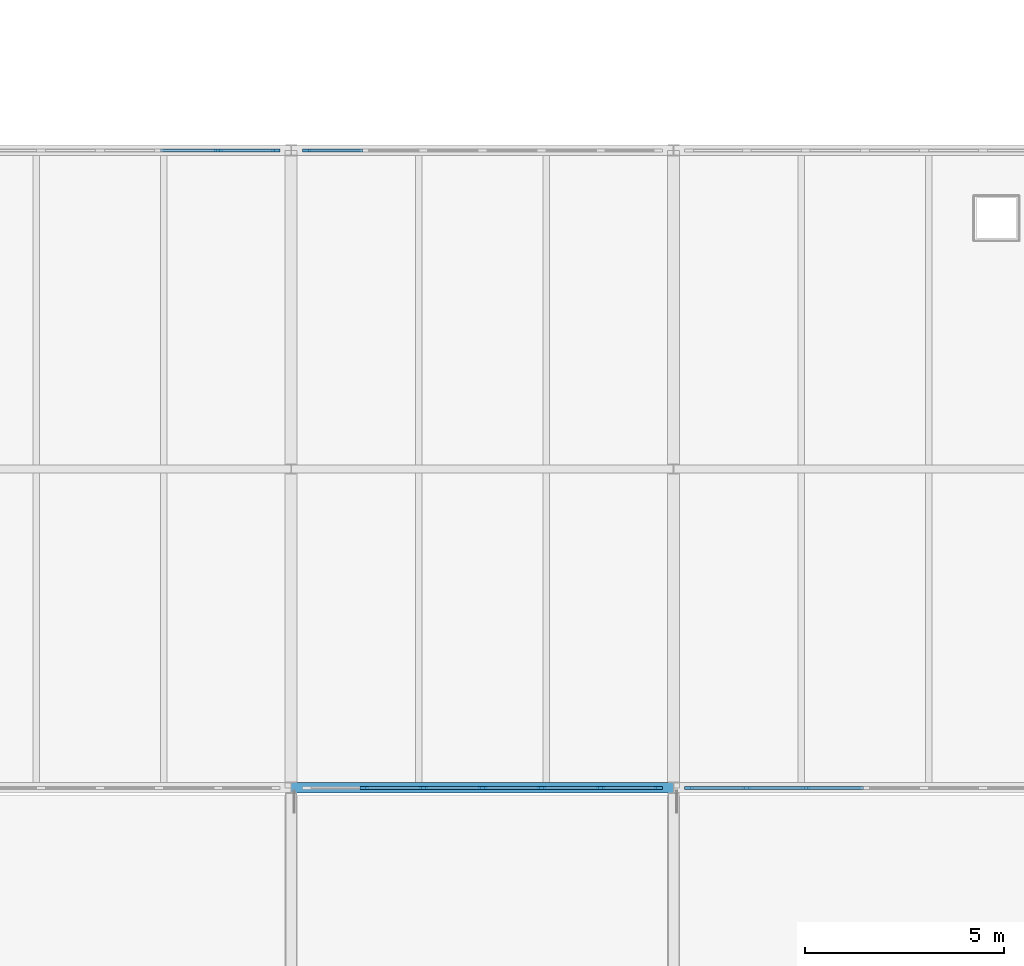
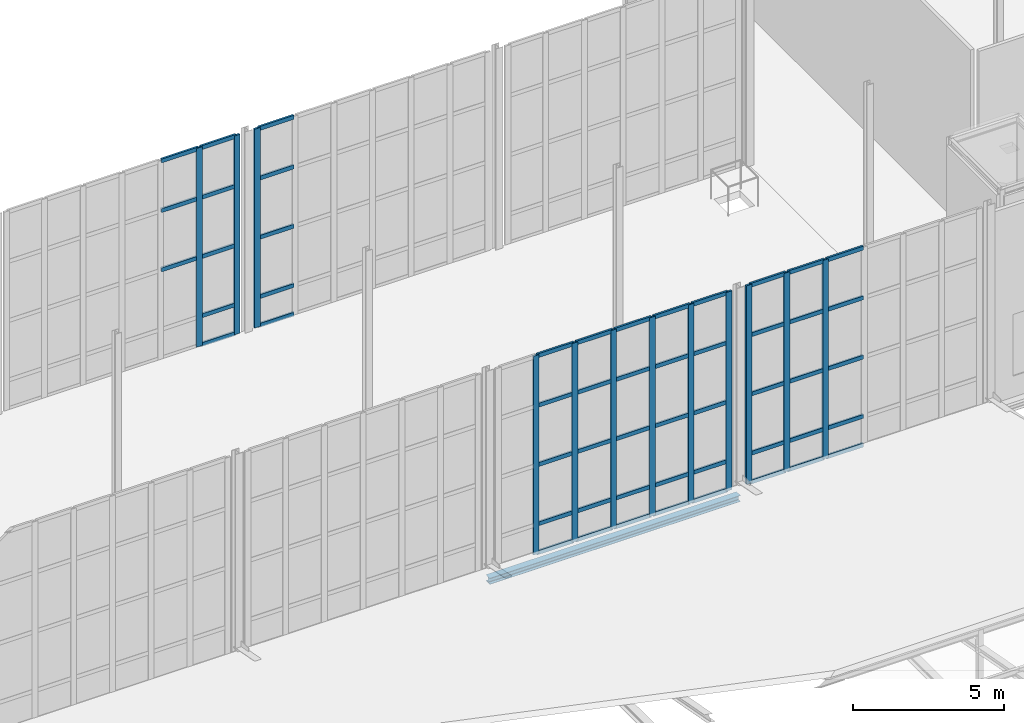
# One storey, part 39 of 73: 65 members, 1 beam, 4 elements without a shape of their own.
"""IFC4 building model written with IfcOpenShell, lengths in metres."""

from ifc_helpers import new_model, si_unit, direction, frame, origin, origin_2d, place, context, subcontext, project, spatial, rectangle, i_section, extrude, material, layer, layer_set, material_profile, profile_set, type_object, element, aggregate, save


model = new_model("IFC4")

# Units and contexts
model_context = context("Model", 3, precision=1e-05, world=origin(), true_north=direction((0.0, 1.0)))
body_context = subcontext(model_context, "Body", "Model", "MODEL_VIEW")
ifc_project = project(units=[si_unit("LENGTHUNIT", "METRE"), si_unit("AREAUNIT", "SQUARE_METRE"), si_unit("VOLUMEUNIT", "CUBIC_METRE"), si_unit("PLANEANGLEUNIT", "RADIAN"), si_unit("MASSUNIT", "GRAM", prefix="KILO")], contexts=[model_context])

# Site, building, storey
site_placement = place(None, origin())
site = spatial("IfcSite", under=ifc_project, at=site_placement, CompositionType="ELEMENT")
building_placement = place(site_placement, origin())
building = spatial("IfcBuilding", under=site, at=building_placement, Name="Alderhovde Museum", CompositionType="ELEMENT")
storey_placement = place(building_placement, frame((0.0, 0.0, 17.39990234375)))
storey = spatial("IfcBuildingStorey", under=building, at=storey_placement, Name="L04", CompositionType="ELEMENT", Elevation=17.39990234375)

# Curtain wall, members
ifc_material_1 = material(Name="Triple-Glazed Bronze-Anodised Curtain Wall", Category="glass")
ifc_layer = layer(ifc_material_1, 0.219970703125)
ifc_layer_set = layer_set([ifc_layer], Name="Triple-Glazed Bronze-Anodised Curtain Wall")
curtain_wall_type = type_object("IfcCurtainWallType", Name="CW-UNIT-890x805", PredefinedType="USERDEFINED", material=ifc_layer_set)
curtain_wall_1_placement = place(storey_placement, origin())
curtain_wall_1 = element("IfcCurtainWall", 1, at=curtain_wall_1_placement, inside=storey, type_object=curtain_wall_type, Name="L04 Unitised Curtain Wall 83", ObjectType="UNITISED CURTAIN WALL", PredefinedType="USERDEFINED")
ifc_material_2 = material(Name="Bronze-Anodised Aluminium EN AW-6063-T6", Category="aluminium")
ifc_material_profile_1 = material_profile(ifc_material_2, rectangle(XDim=0.074951171875, YDim=0.219970703125, at=origin_2d()), Name="MULLION 75x220")
ifc_profile_set_1 = profile_set([ifc_material_profile_1], Name="Bronze-Anodised Aluminium EN AW-6063-T6")
member_type_1 = type_object("IfcMemberType", Name="CWM-75x220", PredefinedType="MULLION", material=ifc_profile_set_1)
member_1_placement = place(storey_placement, frame((94.166748046875, 88.0, 0.0), z_axis=(0.0, 0.0, 1.0), x_axis=(0.0, 1.0, 0.0)))
member_1 = element("IfcMember", 2, at=member_1_placement, type_object=member_type_1, Name="CW21 mullion 6", PredefinedType="MULLION", context=body_context, shape_type="SweptSolid", body=[
    extrude(rectangle(XDim=0.074951171875, YDim=0.219970703125, at=origin_2d()), origin(), (0.0, 0.0, 1.0), 8.050048828125),
])
member_2_placement = place(storey_placement, frame((95.612548828125, 88.0, 0.0), z_axis=(0.0, 0.0, 1.0), x_axis=(0.0, 1.0, 0.0)))
member_2 = element("IfcMember", 3, at=member_2_placement, type_object=member_type_1, Name="CW21 mullion 7", PredefinedType="MULLION", context=body_context, shape_type="SweptSolid", body=[
    extrude(rectangle(XDim=0.074951171875, YDim=0.219970703125, at=origin_2d()), origin(), (0.0, 0.0, 1.0), 8.050048828125),
])

# Curtain wall, member
curtain_wall_2_placement = place(storey_placement, origin())
curtain_wall_2 = element("IfcCurtainWall", 4, at=curtain_wall_2_placement, inside=storey, type_object=curtain_wall_type, Name="L04 Unitised Curtain Wall 85", ObjectType="UNITISED CURTAIN WALL", PredefinedType="USERDEFINED")
member_3_placement = place(storey_placement, frame((96.387451171875, 88.0, 0.0), z_axis=(0.0, 0.0, 1.0), x_axis=(0.0, 1.0, 0.0)))
member_3 = element("IfcMember", 5, at=member_3_placement, type_object=member_type_1, Name="CW21 mullion 1", PredefinedType="MULLION", context=body_context, shape_type="SweptSolid", body=[
    extrude(rectangle(XDim=0.074951171875, YDim=0.219970703125, at=origin_2d()), origin(), (0.0, 0.0, 1.0), 8.050048828125),
])

# Curtain wall, members
curtain_wall_3_placement = place(storey_placement, origin())
curtain_wall_3 = element("IfcCurtainWall", 6, at=curtain_wall_3_placement, inside=storey, type_object=curtain_wall_type, Name="L04 Unitised Curtain Wall 86", ObjectType="UNITISED CURTAIN WALL", PredefinedType="USERDEFINED")
member_4_placement = place(storey_placement, frame((97.833251953125, 72.0, 0.0), z_axis=(0.0, 0.0, 1.0), x_axis=(0.0, 1.0, 0.0)))
member_4 = element("IfcMember", 7, at=member_4_placement, type_object=member_type_1, Name="CW21 mullion 2", PredefinedType="MULLION", context=body_context, shape_type="SweptSolid", body=[
    extrude(rectangle(XDim=0.074951171875, YDim=0.219970703125, at=origin_2d()), origin(), (0.0, 0.0, 1.0), 8.050048828125),
])
member_5_placement = place(storey_placement, frame((99.316650390625, 72.0, 0.0), z_axis=(0.0, 0.0, 1.0), x_axis=(0.0, 1.0, 0.0)))
member_5 = element("IfcMember", 8, at=member_5_placement, type_object=member_type_1, Name="CW21 mullion 3", PredefinedType="MULLION", context=body_context, shape_type="SweptSolid", body=[
    extrude(rectangle(XDim=0.074951171875, YDim=0.219970703125, at=origin_2d()), origin(), (0.0, 0.0, 1.0), 8.050048828125),
])
member_6_placement = place(storey_placement, frame((100.800048828125, 72.0, 0.0), z_axis=(0.0, 0.0, 1.0), x_axis=(0.0, 1.0, 0.0)))
member_6 = element("IfcMember", 9, at=member_6_placement, type_object=member_type_1, Name="CW21 mullion 4", PredefinedType="MULLION", context=body_context, shape_type="SweptSolid", body=[
    extrude(rectangle(XDim=0.074951171875, YDim=0.219970703125, at=origin_2d()), origin(), (0.0, 0.0, 1.0), 8.050048828125),
])
member_7_placement = place(storey_placement, frame((102.283447265625, 72.0, 0.0), z_axis=(0.0, 0.0, 1.0), x_axis=(0.0, 1.0, 0.0)))
member_7 = element("IfcMember", 10, at=member_7_placement, type_object=member_type_1, Name="CW21 mullion 5", PredefinedType="MULLION", context=body_context, shape_type="SweptSolid", body=[
    extrude(rectangle(XDim=0.074951171875, YDim=0.219970703125, at=origin_2d()), origin(), (0.0, 0.0, 1.0), 8.050048828125),
])
member_8_placement = place(storey_placement, frame((103.7666015625, 72.0, 0.0), z_axis=(0.0, 0.0, 1.0), x_axis=(0.0, 1.0, 0.0)))
member_8 = element("IfcMember", 11, at=member_8_placement, type_object=member_type_1, Name="CW21 mullion 6", PredefinedType="MULLION", context=body_context, shape_type="SweptSolid", body=[
    extrude(rectangle(XDim=0.074951171875, YDim=0.219970703125, at=origin_2d()), origin(), (0.0, 0.0, 1.0), 8.050048828125),
])
member_9_placement = place(storey_placement, frame((105.21240234375, 72.0, 0.0), z_axis=(0.0, 0.0, 1.0), x_axis=(0.0, 1.0, 0.0)))
member_9 = element("IfcMember", 12, at=member_9_placement, type_object=member_type_1, Name="CW21 mullion 7", PredefinedType="MULLION", context=body_context, shape_type="SweptSolid", body=[
    extrude(rectangle(XDim=0.074951171875, YDim=0.219970703125, at=origin_2d()), origin(), (0.0, 0.0, 1.0), 8.050048828125),
])

curtain_wall_4_placement = place(storey_placement, origin())
curtain_wall_4 = element("IfcCurtainWall", 13, at=curtain_wall_4_placement, inside=storey, type_object=curtain_wall_type, Name="L04 Unitised Curtain Wall 88", ObjectType="UNITISED CURTAIN WALL", PredefinedType="USERDEFINED")
member_10_placement = place(storey_placement, frame((105.987548828125, 72.0, 0.0), z_axis=(0.0, 0.0, 1.0), x_axis=(0.0, 1.0, 0.0)))
member_10 = element("IfcMember", 14, at=member_10_placement, type_object=member_type_1, Name="CW21 mullion 1", PredefinedType="MULLION", context=body_context, shape_type="SweptSolid", body=[
    extrude(rectangle(XDim=0.074951171875, YDim=0.219970703125, at=origin_2d()), origin(), (0.0, 0.0, 1.0), 8.050048828125),
])
member_11_placement = place(storey_placement, frame((107.433349609375, 72.0, 0.0), z_axis=(0.0, 0.0, 1.0), x_axis=(0.0, 1.0, 0.0)))
member_11 = element("IfcMember", 15, at=member_11_placement, type_object=member_type_1, Name="CW21 mullion 2", PredefinedType="MULLION", context=body_context, shape_type="SweptSolid", body=[
    extrude(rectangle(XDim=0.074951171875, YDim=0.219970703125, at=origin_2d()), origin(), (0.0, 0.0, 1.0), 8.050048828125),
])
member_12_placement = place(storey_placement, frame((108.916748046875, 72.0, 0.0), z_axis=(0.0, 0.0, 1.0), x_axis=(0.0, 1.0, 0.0)))
member_12 = element("IfcMember", 16, at=member_12_placement, type_object=member_type_1, Name="CW21 mullion 3", PredefinedType="MULLION", context=body_context, shape_type="SweptSolid", body=[
    extrude(rectangle(XDim=0.074951171875, YDim=0.219970703125, at=origin_2d()), origin(), (0.0, 0.0, 1.0), 8.050048828125),
])

# Member
ifc_material_3 = material(Name="Bronze-Anodised Aluminium EN AW-6063-T6", Category="aluminium")
ifc_material_profile_2 = material_profile(ifc_material_3, rectangle(XDim=0.074951171875, YDim=0.159912109375, at=origin_2d()), Name="TRANSOM 75x160")
ifc_profile_set_2 = profile_set([ifc_material_profile_2], Name="Bronze-Anodised Aluminium EN AW-6063-T6")
member_type_2 = type_object("IfcMemberType", Name="CWT-75x160", PredefinedType="USERDEFINED", material=ifc_profile_set_2)
member_13_placement = place(storey_placement, frame((92.720947265625, 88.0, 3.60009765625), z_axis=(1.0, 0.0, 0.0), x_axis=(0.0, 1.0, 0.0)))
member_13 = element("IfcMember", 17, at=member_13_placement, type_object=member_type_2, Name="CW21 transom 5.3", ObjectType="TRANSOM", PredefinedType="USERDEFINED", context=body_context, shape_type="SweptSolid", body=[
    extrude(rectangle(XDim=0.074951171875, YDim=0.159912109375, at=origin_2d()), origin(), (0.0, 0.0, 1.0), 1.408203125),
])

member_14_placement = place(storey_placement, frame((92.720947265625, 88.0, 6.0), z_axis=(1.0, 0.0, 0.0), x_axis=(0.0, 1.0, 0.0)))
member_14 = element("IfcMember", 18, at=member_14_placement, type_object=member_type_2, Name="CW21 transom 5.4", ObjectType="TRANSOM", PredefinedType="USERDEFINED", context=body_context, shape_type="SweptSolid", body=[
    extrude(rectangle(XDim=0.074951171875, YDim=0.159912109375, at=origin_2d()), origin(), (0.0, 0.0, 1.0), 1.408203125),
])

member_15_placement = place(storey_placement, frame((92.720947265625, 88.0, 8.0126953125), z_axis=(1.0, 0.0, 0.0), x_axis=(0.0, 1.0, 0.0)))
member_15 = element("IfcMember", 19, at=member_15_placement, type_object=member_type_2, Name="CW21 transom 5.5", ObjectType="TRANSOM", PredefinedType="USERDEFINED", context=body_context, shape_type="SweptSolid", body=[
    extrude(rectangle(XDim=0.074951171875, YDim=0.159912109375, at=origin_2d()), origin(), (0.0, 0.0, 1.0), 1.408203125),
])

member_16_placement = place(storey_placement, frame((94.2041015625, 88.0, 0.03759765625), z_axis=(1.0, 0.0, 0.0), x_axis=(0.0, 1.0, 0.0)))
member_16 = element("IfcMember", 20, at=member_16_placement, type_object=member_type_2, Name="CW21 transom 6.1", ObjectType="TRANSOM", PredefinedType="USERDEFINED", context=body_context, shape_type="SweptSolid", body=[
    extrude(rectangle(XDim=0.074951171875, YDim=0.159912109375, at=origin_2d()), origin(), (0.0, 0.0, 1.0), 1.370849609375),
])

member_17_placement = place(storey_placement, frame((94.2041015625, 88.0, 1.2001953125), z_axis=(1.0, 0.0, 0.0), x_axis=(0.0, 1.0, 0.0)))
member_17 = element("IfcMember", 21, at=member_17_placement, type_object=member_type_2, Name="CW21 transom 6.2", ObjectType="TRANSOM", PredefinedType="USERDEFINED", context=body_context, shape_type="SweptSolid", body=[
    extrude(rectangle(XDim=0.074951171875, YDim=0.159912109375, at=origin_2d()), origin(), (0.0, 0.0, 1.0), 1.370849609375),
])

member_18_placement = place(storey_placement, frame((94.2041015625, 88.0, 3.60009765625), z_axis=(1.0, 0.0, 0.0), x_axis=(0.0, 1.0, 0.0)))
member_18 = element("IfcMember", 22, at=member_18_placement, type_object=member_type_2, Name="CW21 transom 6.3", ObjectType="TRANSOM", PredefinedType="USERDEFINED", context=body_context, shape_type="SweptSolid", body=[
    extrude(rectangle(XDim=0.074951171875, YDim=0.159912109375, at=origin_2d()), origin(), (0.0, 0.0, 1.0), 1.370849609375),
])

member_19_placement = place(storey_placement, frame((94.2041015625, 88.0, 6.0), z_axis=(1.0, 0.0, 0.0), x_axis=(0.0, 1.0, 0.0)))
member_19 = element("IfcMember", 23, at=member_19_placement, type_object=member_type_2, Name="CW21 transom 6.4", ObjectType="TRANSOM", PredefinedType="USERDEFINED", context=body_context, shape_type="SweptSolid", body=[
    extrude(rectangle(XDim=0.074951171875, YDim=0.159912109375, at=origin_2d()), origin(), (0.0, 0.0, 1.0), 1.370849609375),
])

member_20_placement = place(storey_placement, frame((94.2041015625, 88.0, 8.0126953125), z_axis=(1.0, 0.0, 0.0), x_axis=(0.0, 1.0, 0.0)))
member_20 = element("IfcMember", 24, at=member_20_placement, type_object=member_type_2, Name="CW21 transom 6.5", ObjectType="TRANSOM", PredefinedType="USERDEFINED", context=body_context, shape_type="SweptSolid", body=[
    extrude(rectangle(XDim=0.074951171875, YDim=0.159912109375, at=origin_2d()), origin(), (0.0, 0.0, 1.0), 1.370849609375),
])

aggregate(curtain_wall_1, [member_1, member_2, member_13, member_14, member_15, member_16, member_17, member_18, member_19, member_20])

member_21_placement = place(storey_placement, frame((96.425048828125, 88.0, 0.03759765625), z_axis=(1.0, 0.0, 0.0), x_axis=(0.0, 1.0, 0.0)))
member_21 = element("IfcMember", 25, at=member_21_placement, type_object=member_type_2, Name="CW21 transom 1.1", ObjectType="TRANSOM", PredefinedType="USERDEFINED", context=body_context, shape_type="SweptSolid", body=[
    extrude(rectangle(XDim=0.074951171875, YDim=0.159912109375, at=origin_2d()), origin(), (0.0, 0.0, 1.0), 1.370849609375),
])

member_22_placement = place(storey_placement, frame((96.425048828125, 88.0, 1.2001953125), z_axis=(1.0, 0.0, 0.0), x_axis=(0.0, 1.0, 0.0)))
member_22 = element("IfcMember", 26, at=member_22_placement, type_object=member_type_2, Name="CW21 transom 1.2", ObjectType="TRANSOM", PredefinedType="USERDEFINED", context=body_context, shape_type="SweptSolid", body=[
    extrude(rectangle(XDim=0.074951171875, YDim=0.159912109375, at=origin_2d()), origin(), (0.0, 0.0, 1.0), 1.370849609375),
])

member_23_placement = place(storey_placement, frame((96.425048828125, 88.0, 3.60009765625), z_axis=(1.0, 0.0, 0.0), x_axis=(0.0, 1.0, 0.0)))
member_23 = element("IfcMember", 27, at=member_23_placement, type_object=member_type_2, Name="CW21 transom 1.3", ObjectType="TRANSOM", PredefinedType="USERDEFINED", context=body_context, shape_type="SweptSolid", body=[
    extrude(rectangle(XDim=0.074951171875, YDim=0.159912109375, at=origin_2d()), origin(), (0.0, 0.0, 1.0), 1.370849609375),
])

member_24_placement = place(storey_placement, frame((96.425048828125, 88.0, 6.0), z_axis=(1.0, 0.0, 0.0), x_axis=(0.0, 1.0, 0.0)))
member_24 = element("IfcMember", 28, at=member_24_placement, type_object=member_type_2, Name="CW21 transom 1.4", ObjectType="TRANSOM", PredefinedType="USERDEFINED", context=body_context, shape_type="SweptSolid", body=[
    extrude(rectangle(XDim=0.074951171875, YDim=0.159912109375, at=origin_2d()), origin(), (0.0, 0.0, 1.0), 1.370849609375),
])

member_25_placement = place(storey_placement, frame((96.425048828125, 88.0, 8.0126953125), z_axis=(1.0, 0.0, 0.0), x_axis=(0.0, 1.0, 0.0)))
member_25 = element("IfcMember", 29, at=member_25_placement, type_object=member_type_2, Name="CW21 transom 1.5", ObjectType="TRANSOM", PredefinedType="USERDEFINED", context=body_context, shape_type="SweptSolid", body=[
    extrude(rectangle(XDim=0.074951171875, YDim=0.159912109375, at=origin_2d()), origin(), (0.0, 0.0, 1.0), 1.370849609375),
])

aggregate(curtain_wall_2, [member_3, member_21, member_22, member_23, member_24, member_25])

member_26_placement = place(storey_placement, frame((97.870849609375, 72.0, 0.03759765625), z_axis=(1.0, 0.0, 0.0), x_axis=(0.0, 1.0, 0.0)))
member_26 = element("IfcMember", 30, at=member_26_placement, type_object=member_type_2, Name="CW21 transom 2.1", ObjectType="TRANSOM", PredefinedType="USERDEFINED", context=body_context, shape_type="SweptSolid", body=[
    extrude(rectangle(XDim=0.074951171875, YDim=0.159912109375, at=origin_2d()), origin(), (0.0, 0.0, 1.0), 1.408203125),
])

member_27_placement = place(storey_placement, frame((97.870849609375, 72.0, 1.2001953125), z_axis=(1.0, 0.0, 0.0), x_axis=(0.0, 1.0, 0.0)))
member_27 = element("IfcMember", 31, at=member_27_placement, type_object=member_type_2, Name="CW21 transom 2.2", ObjectType="TRANSOM", PredefinedType="USERDEFINED", context=body_context, shape_type="SweptSolid", body=[
    extrude(rectangle(XDim=0.074951171875, YDim=0.159912109375, at=origin_2d()), origin(), (0.0, 0.0, 1.0), 1.408203125),
])

member_28_placement = place(storey_placement, frame((97.870849609375, 72.0, 3.60009765625), z_axis=(1.0, 0.0, 0.0), x_axis=(0.0, 1.0, 0.0)))
member_28 = element("IfcMember", 32, at=member_28_placement, type_object=member_type_2, Name="CW21 transom 2.3", ObjectType="TRANSOM", PredefinedType="USERDEFINED", context=body_context, shape_type="SweptSolid", body=[
    extrude(rectangle(XDim=0.074951171875, YDim=0.159912109375, at=origin_2d()), origin(), (0.0, 0.0, 1.0), 1.408203125),
])

member_29_placement = place(storey_placement, frame((97.870849609375, 72.0, 6.0), z_axis=(1.0, 0.0, 0.0), x_axis=(0.0, 1.0, 0.0)))
member_29 = element("IfcMember", 33, at=member_29_placement, type_object=member_type_2, Name="CW21 transom 2.4", ObjectType="TRANSOM", PredefinedType="USERDEFINED", context=body_context, shape_type="SweptSolid", body=[
    extrude(rectangle(XDim=0.074951171875, YDim=0.159912109375, at=origin_2d()), origin(), (0.0, 0.0, 1.0), 1.408203125),
])

member_30_placement = place(storey_placement, frame((97.870849609375, 72.0, 8.0126953125), z_axis=(1.0, 0.0, 0.0), x_axis=(0.0, 1.0, 0.0)))
member_30 = element("IfcMember", 34, at=member_30_placement, type_object=member_type_2, Name="CW21 transom 2.5", ObjectType="TRANSOM", PredefinedType="USERDEFINED", context=body_context, shape_type="SweptSolid", body=[
    extrude(rectangle(XDim=0.074951171875, YDim=0.159912109375, at=origin_2d()), origin(), (0.0, 0.0, 1.0), 1.408203125),
])

member_31_placement = place(storey_placement, frame((99.354248046875, 72.0, 0.03759765625), z_axis=(1.0, 0.0, 0.0), x_axis=(0.0, 1.0, 0.0)))
member_31 = element("IfcMember", 35, at=member_31_placement, type_object=member_type_2, Name="CW21 transom 3.1", ObjectType="TRANSOM", PredefinedType="USERDEFINED", context=body_context, shape_type="SweptSolid", body=[
    extrude(rectangle(XDim=0.074951171875, YDim=0.159912109375, at=origin_2d()), origin(), (0.0, 0.0, 1.0), 1.408203125),
])

member_32_placement = place(storey_placement, frame((99.354248046875, 72.0, 1.2001953125), z_axis=(1.0, 0.0, 0.0), x_axis=(0.0, 1.0, 0.0)))
member_32 = element("IfcMember", 36, at=member_32_placement, type_object=member_type_2, Name="CW21 transom 3.2", ObjectType="TRANSOM", PredefinedType="USERDEFINED", context=body_context, shape_type="SweptSolid", body=[
    extrude(rectangle(XDim=0.074951171875, YDim=0.159912109375, at=origin_2d()), origin(), (0.0, 0.0, 1.0), 1.408203125),
])

member_33_placement = place(storey_placement, frame((99.354248046875, 72.0, 3.60009765625), z_axis=(1.0, 0.0, 0.0), x_axis=(0.0, 1.0, 0.0)))
member_33 = element("IfcMember", 37, at=member_33_placement, type_object=member_type_2, Name="CW21 transom 3.3", ObjectType="TRANSOM", PredefinedType="USERDEFINED", context=body_context, shape_type="SweptSolid", body=[
    extrude(rectangle(XDim=0.074951171875, YDim=0.159912109375, at=origin_2d()), origin(), (0.0, 0.0, 1.0), 1.408203125),
])

member_34_placement = place(storey_placement, frame((99.354248046875, 72.0, 6.0), z_axis=(1.0, 0.0, 0.0), x_axis=(0.0, 1.0, 0.0)))
member_34 = element("IfcMember", 38, at=member_34_placement, type_object=member_type_2, Name="CW21 transom 3.4", ObjectType="TRANSOM", PredefinedType="USERDEFINED", context=body_context, shape_type="SweptSolid", body=[
    extrude(rectangle(XDim=0.074951171875, YDim=0.159912109375, at=origin_2d()), origin(), (0.0, 0.0, 1.0), 1.408203125),
])

member_35_placement = place(storey_placement, frame((99.354248046875, 72.0, 8.0126953125), z_axis=(1.0, 0.0, 0.0), x_axis=(0.0, 1.0, 0.0)))
member_35 = element("IfcMember", 39, at=member_35_placement, type_object=member_type_2, Name="CW21 transom 3.5", ObjectType="TRANSOM", PredefinedType="USERDEFINED", context=body_context, shape_type="SweptSolid", body=[
    extrude(rectangle(XDim=0.074951171875, YDim=0.159912109375, at=origin_2d()), origin(), (0.0, 0.0, 1.0), 1.408203125),
])

member_36_placement = place(storey_placement, frame((100.83740234375, 72.0, 0.03759765625), z_axis=(1.0, 0.0, 0.0), x_axis=(0.0, 1.0, 0.0)))
member_36 = element("IfcMember", 40, at=member_36_placement, type_object=member_type_2, Name="CW21 transom 4.1", ObjectType="TRANSOM", PredefinedType="USERDEFINED", context=body_context, shape_type="SweptSolid", body=[
    extrude(rectangle(XDim=0.074951171875, YDim=0.159912109375, at=origin_2d()), origin(), (0.0, 0.0, 1.0), 1.408447265625),
])

member_37_placement = place(storey_placement, frame((100.83740234375, 72.0, 1.2001953125), z_axis=(1.0, 0.0, 0.0), x_axis=(0.0, 1.0, 0.0)))
member_37 = element("IfcMember", 41, at=member_37_placement, type_object=member_type_2, Name="CW21 transom 4.2", ObjectType="TRANSOM", PredefinedType="USERDEFINED", context=body_context, shape_type="SweptSolid", body=[
    extrude(rectangle(XDim=0.074951171875, YDim=0.159912109375, at=origin_2d()), origin(), (0.0, 0.0, 1.0), 1.408447265625),
])

member_38_placement = place(storey_placement, frame((100.83740234375, 72.0, 3.60009765625), z_axis=(1.0, 0.0, 0.0), x_axis=(0.0, 1.0, 0.0)))
member_38 = element("IfcMember", 42, at=member_38_placement, type_object=member_type_2, Name="CW21 transom 4.3", ObjectType="TRANSOM", PredefinedType="USERDEFINED", context=body_context, shape_type="SweptSolid", body=[
    extrude(rectangle(XDim=0.074951171875, YDim=0.159912109375, at=origin_2d()), origin(), (0.0, 0.0, 1.0), 1.408447265625),
])

member_39_placement = place(storey_placement, frame((100.83740234375, 72.0, 6.0), z_axis=(1.0, 0.0, 0.0), x_axis=(0.0, 1.0, 0.0)))
member_39 = element("IfcMember", 43, at=member_39_placement, type_object=member_type_2, Name="CW21 transom 4.4", ObjectType="TRANSOM", PredefinedType="USERDEFINED", context=body_context, shape_type="SweptSolid", body=[
    extrude(rectangle(XDim=0.074951171875, YDim=0.159912109375, at=origin_2d()), origin(), (0.0, 0.0, 1.0), 1.408447265625),
])

member_40_placement = place(storey_placement, frame((100.83740234375, 72.0, 8.0126953125), z_axis=(1.0, 0.0, 0.0), x_axis=(0.0, 1.0, 0.0)))
member_40 = element("IfcMember", 44, at=member_40_placement, type_object=member_type_2, Name="CW21 transom 4.5", ObjectType="TRANSOM", PredefinedType="USERDEFINED", context=body_context, shape_type="SweptSolid", body=[
    extrude(rectangle(XDim=0.074951171875, YDim=0.159912109375, at=origin_2d()), origin(), (0.0, 0.0, 1.0), 1.408447265625),
])

member_41_placement = place(storey_placement, frame((102.32080078125, 72.0, 0.03759765625), z_axis=(1.0, 0.0, 0.0), x_axis=(0.0, 1.0, 0.0)))
member_41 = element("IfcMember", 45, at=member_41_placement, type_object=member_type_2, Name="CW21 transom 5.1", ObjectType="TRANSOM", PredefinedType="USERDEFINED", context=body_context, shape_type="SweptSolid", body=[
    extrude(rectangle(XDim=0.074951171875, YDim=0.159912109375, at=origin_2d()), origin(), (0.0, 0.0, 1.0), 1.408447265625),
])

member_42_placement = place(storey_placement, frame((102.32080078125, 72.0, 1.2001953125), z_axis=(1.0, 0.0, 0.0), x_axis=(0.0, 1.0, 0.0)))
member_42 = element("IfcMember", 46, at=member_42_placement, type_object=member_type_2, Name="CW21 transom 5.2", ObjectType="TRANSOM", PredefinedType="USERDEFINED", context=body_context, shape_type="SweptSolid", body=[
    extrude(rectangle(XDim=0.074951171875, YDim=0.159912109375, at=origin_2d()), origin(), (0.0, 0.0, 1.0), 1.408447265625),
])

member_43_placement = place(storey_placement, frame((102.32080078125, 72.0, 3.60009765625), z_axis=(1.0, 0.0, 0.0), x_axis=(0.0, 1.0, 0.0)))
member_43 = element("IfcMember", 47, at=member_43_placement, type_object=member_type_2, Name="CW21 transom 5.3", ObjectType="TRANSOM", PredefinedType="USERDEFINED", context=body_context, shape_type="SweptSolid", body=[
    extrude(rectangle(XDim=0.074951171875, YDim=0.159912109375, at=origin_2d()), origin(), (0.0, 0.0, 1.0), 1.408447265625),
])

member_44_placement = place(storey_placement, frame((102.32080078125, 72.0, 6.0), z_axis=(1.0, 0.0, 0.0), x_axis=(0.0, 1.0, 0.0)))
member_44 = element("IfcMember", 48, at=member_44_placement, type_object=member_type_2, Name="CW21 transom 5.4", ObjectType="TRANSOM", PredefinedType="USERDEFINED", context=body_context, shape_type="SweptSolid", body=[
    extrude(rectangle(XDim=0.074951171875, YDim=0.159912109375, at=origin_2d()), origin(), (0.0, 0.0, 1.0), 1.408447265625),
])

member_45_placement = place(storey_placement, frame((102.32080078125, 72.0, 8.0126953125), z_axis=(1.0, 0.0, 0.0), x_axis=(0.0, 1.0, 0.0)))
member_45 = element("IfcMember", 49, at=member_45_placement, type_object=member_type_2, Name="CW21 transom 5.5", ObjectType="TRANSOM", PredefinedType="USERDEFINED", context=body_context, shape_type="SweptSolid", body=[
    extrude(rectangle(XDim=0.074951171875, YDim=0.159912109375, at=origin_2d()), origin(), (0.0, 0.0, 1.0), 1.408447265625),
])

member_46_placement = place(storey_placement, frame((103.80419921875, 72.0, 0.03759765625), z_axis=(1.0, 0.0, 0.0), x_axis=(0.0, 1.0, 0.0)))
member_46 = element("IfcMember", 50, at=member_46_placement, type_object=member_type_2, Name="CW21 transom 6.1", ObjectType="TRANSOM", PredefinedType="USERDEFINED", context=body_context, shape_type="SweptSolid", body=[
    extrude(rectangle(XDim=0.074951171875, YDim=0.159912109375, at=origin_2d()), origin(), (0.0, 0.0, 1.0), 1.370849609375),
])

member_47_placement = place(storey_placement, frame((103.80419921875, 72.0, 1.2001953125), z_axis=(1.0, 0.0, 0.0), x_axis=(0.0, 1.0, 0.0)))
member_47 = element("IfcMember", 51, at=member_47_placement, type_object=member_type_2, Name="CW21 transom 6.2", ObjectType="TRANSOM", PredefinedType="USERDEFINED", context=body_context, shape_type="SweptSolid", body=[
    extrude(rectangle(XDim=0.074951171875, YDim=0.159912109375, at=origin_2d()), origin(), (0.0, 0.0, 1.0), 1.370849609375),
])

member_48_placement = place(storey_placement, frame((103.80419921875, 72.0, 3.60009765625), z_axis=(1.0, 0.0, 0.0), x_axis=(0.0, 1.0, 0.0)))
member_48 = element("IfcMember", 52, at=member_48_placement, type_object=member_type_2, Name="CW21 transom 6.3", ObjectType="TRANSOM", PredefinedType="USERDEFINED", context=body_context, shape_type="SweptSolid", body=[
    extrude(rectangle(XDim=0.074951171875, YDim=0.159912109375, at=origin_2d()), origin(), (0.0, 0.0, 1.0), 1.370849609375),
])

member_49_placement = place(storey_placement, frame((103.80419921875, 72.0, 6.0), z_axis=(1.0, 0.0, 0.0), x_axis=(0.0, 1.0, 0.0)))
member_49 = element("IfcMember", 53, at=member_49_placement, type_object=member_type_2, Name="CW21 transom 6.4", ObjectType="TRANSOM", PredefinedType="USERDEFINED", context=body_context, shape_type="SweptSolid", body=[
    extrude(rectangle(XDim=0.074951171875, YDim=0.159912109375, at=origin_2d()), origin(), (0.0, 0.0, 1.0), 1.370849609375),
])

member_50_placement = place(storey_placement, frame((103.80419921875, 72.0, 8.0126953125), z_axis=(1.0, 0.0, 0.0), x_axis=(0.0, 1.0, 0.0)))
member_50 = element("IfcMember", 54, at=member_50_placement, type_object=member_type_2, Name="CW21 transom 6.5", ObjectType="TRANSOM", PredefinedType="USERDEFINED", context=body_context, shape_type="SweptSolid", body=[
    extrude(rectangle(XDim=0.074951171875, YDim=0.159912109375, at=origin_2d()), origin(), (0.0, 0.0, 1.0), 1.370849609375),
])

aggregate(curtain_wall_3, [member_4, member_5, member_6, member_7, member_8, member_9, member_26, member_27, member_28, member_29, member_30, member_31, member_32, member_33, member_34, member_35, member_36, member_37, member_38, member_39, member_40, member_41, member_42, member_43, member_44, member_45, member_46, member_47, member_48, member_49, member_50])

member_51_placement = place(storey_placement, frame((106.02490234375, 72.0, 0.03759765625), z_axis=(1.0, 0.0, 0.0), x_axis=(0.0, 1.0, 0.0)))
member_51 = element("IfcMember", 55, at=member_51_placement, type_object=member_type_2, Name="CW21 transom 1.1", ObjectType="TRANSOM", PredefinedType="USERDEFINED", context=body_context, shape_type="SweptSolid", body=[
    extrude(rectangle(XDim=0.074951171875, YDim=0.159912109375, at=origin_2d()), origin(), (0.0, 0.0, 1.0), 1.370849609375),
])

member_52_placement = place(storey_placement, frame((106.02490234375, 72.0, 1.2001953125), z_axis=(1.0, 0.0, 0.0), x_axis=(0.0, 1.0, 0.0)))
member_52 = element("IfcMember", 56, at=member_52_placement, type_object=member_type_2, Name="CW21 transom 1.2", ObjectType="TRANSOM", PredefinedType="USERDEFINED", context=body_context, shape_type="SweptSolid", body=[
    extrude(rectangle(XDim=0.074951171875, YDim=0.159912109375, at=origin_2d()), origin(), (0.0, 0.0, 1.0), 1.370849609375),
])

member_53_placement = place(storey_placement, frame((106.02490234375, 72.0, 3.60009765625), z_axis=(1.0, 0.0, 0.0), x_axis=(0.0, 1.0, 0.0)))
member_53 = element("IfcMember", 57, at=member_53_placement, type_object=member_type_2, Name="CW21 transom 1.3", ObjectType="TRANSOM", PredefinedType="USERDEFINED", context=body_context, shape_type="SweptSolid", body=[
    extrude(rectangle(XDim=0.074951171875, YDim=0.159912109375, at=origin_2d()), origin(), (0.0, 0.0, 1.0), 1.370849609375),
])

member_54_placement = place(storey_placement, frame((106.02490234375, 72.0, 6.0), z_axis=(1.0, 0.0, 0.0), x_axis=(0.0, 1.0, 0.0)))
member_54 = element("IfcMember", 58, at=member_54_placement, type_object=member_type_2, Name="CW21 transom 1.4", ObjectType="TRANSOM", PredefinedType="USERDEFINED", context=body_context, shape_type="SweptSolid", body=[
    extrude(rectangle(XDim=0.074951171875, YDim=0.159912109375, at=origin_2d()), origin(), (0.0, 0.0, 1.0), 1.370849609375),
])

member_55_placement = place(storey_placement, frame((106.02490234375, 72.0, 8.0126953125), z_axis=(1.0, 0.0, 0.0), x_axis=(0.0, 1.0, 0.0)))
member_55 = element("IfcMember", 59, at=member_55_placement, type_object=member_type_2, Name="CW21 transom 1.5", ObjectType="TRANSOM", PredefinedType="USERDEFINED", context=body_context, shape_type="SweptSolid", body=[
    extrude(rectangle(XDim=0.074951171875, YDim=0.159912109375, at=origin_2d()), origin(), (0.0, 0.0, 1.0), 1.370849609375),
])

member_56_placement = place(storey_placement, frame((107.470947265625, 72.0, 0.03759765625), z_axis=(1.0, 0.0, 0.0), x_axis=(0.0, 1.0, 0.0)))
member_56 = element("IfcMember", 60, at=member_56_placement, type_object=member_type_2, Name="CW21 transom 2.1", ObjectType="TRANSOM", PredefinedType="USERDEFINED", context=body_context, shape_type="SweptSolid", body=[
    extrude(rectangle(XDim=0.074951171875, YDim=0.159912109375, at=origin_2d()), origin(), (0.0, 0.0, 1.0), 1.408203125),
])

member_57_placement = place(storey_placement, frame((107.470947265625, 72.0, 1.2001953125), z_axis=(1.0, 0.0, 0.0), x_axis=(0.0, 1.0, 0.0)))
member_57 = element("IfcMember", 61, at=member_57_placement, type_object=member_type_2, Name="CW21 transom 2.2", ObjectType="TRANSOM", PredefinedType="USERDEFINED", context=body_context, shape_type="SweptSolid", body=[
    extrude(rectangle(XDim=0.074951171875, YDim=0.159912109375, at=origin_2d()), origin(), (0.0, 0.0, 1.0), 1.408203125),
])

member_58_placement = place(storey_placement, frame((107.470947265625, 72.0, 3.60009765625), z_axis=(1.0, 0.0, 0.0), x_axis=(0.0, 1.0, 0.0)))
member_58 = element("IfcMember", 62, at=member_58_placement, type_object=member_type_2, Name="CW21 transom 2.3", ObjectType="TRANSOM", PredefinedType="USERDEFINED", context=body_context, shape_type="SweptSolid", body=[
    extrude(rectangle(XDim=0.074951171875, YDim=0.159912109375, at=origin_2d()), origin(), (0.0, 0.0, 1.0), 1.408203125),
])

member_59_placement = place(storey_placement, frame((107.470947265625, 72.0, 6.0), z_axis=(1.0, 0.0, 0.0), x_axis=(0.0, 1.0, 0.0)))
member_59 = element("IfcMember", 63, at=member_59_placement, type_object=member_type_2, Name="CW21 transom 2.4", ObjectType="TRANSOM", PredefinedType="USERDEFINED", context=body_context, shape_type="SweptSolid", body=[
    extrude(rectangle(XDim=0.074951171875, YDim=0.159912109375, at=origin_2d()), origin(), (0.0, 0.0, 1.0), 1.408203125),
])

member_60_placement = place(storey_placement, frame((107.470947265625, 72.0, 8.0126953125), z_axis=(1.0, 0.0, 0.0), x_axis=(0.0, 1.0, 0.0)))
member_60 = element("IfcMember", 64, at=member_60_placement, type_object=member_type_2, Name="CW21 transom 2.5", ObjectType="TRANSOM", PredefinedType="USERDEFINED", context=body_context, shape_type="SweptSolid", body=[
    extrude(rectangle(XDim=0.074951171875, YDim=0.159912109375, at=origin_2d()), origin(), (0.0, 0.0, 1.0), 1.408203125),
])

member_61_placement = place(storey_placement, frame((108.9541015625, 72.0, 0.03759765625), z_axis=(1.0, 0.0, 0.0), x_axis=(0.0, 1.0, 0.0)))
member_61 = element("IfcMember", 65, at=member_61_placement, type_object=member_type_2, Name="CW21 transom 3.1", ObjectType="TRANSOM", PredefinedType="USERDEFINED", context=body_context, shape_type="SweptSolid", body=[
    extrude(rectangle(XDim=0.074951171875, YDim=0.159912109375, at=origin_2d()), origin(), (0.0, 0.0, 1.0), 1.408447265625),
])

member_62_placement = place(storey_placement, frame((108.9541015625, 72.0, 1.2001953125), z_axis=(1.0, 0.0, 0.0), x_axis=(0.0, 1.0, 0.0)))
member_62 = element("IfcMember", 66, at=member_62_placement, type_object=member_type_2, Name="CW21 transom 3.2", ObjectType="TRANSOM", PredefinedType="USERDEFINED", context=body_context, shape_type="SweptSolid", body=[
    extrude(rectangle(XDim=0.074951171875, YDim=0.159912109375, at=origin_2d()), origin(), (0.0, 0.0, 1.0), 1.408447265625),
])

member_63_placement = place(storey_placement, frame((108.9541015625, 72.0, 3.60009765625), z_axis=(1.0, 0.0, 0.0), x_axis=(0.0, 1.0, 0.0)))
member_63 = element("IfcMember", 67, at=member_63_placement, type_object=member_type_2, Name="CW21 transom 3.3", ObjectType="TRANSOM", PredefinedType="USERDEFINED", context=body_context, shape_type="SweptSolid", body=[
    extrude(rectangle(XDim=0.074951171875, YDim=0.159912109375, at=origin_2d()), origin(), (0.0, 0.0, 1.0), 1.408447265625),
])

member_64_placement = place(storey_placement, frame((108.9541015625, 72.0, 6.0), z_axis=(1.0, 0.0, 0.0), x_axis=(0.0, 1.0, 0.0)))
member_64 = element("IfcMember", 68, at=member_64_placement, type_object=member_type_2, Name="CW21 transom 3.4", ObjectType="TRANSOM", PredefinedType="USERDEFINED", context=body_context, shape_type="SweptSolid", body=[
    extrude(rectangle(XDim=0.074951171875, YDim=0.159912109375, at=origin_2d()), origin(), (0.0, 0.0, 1.0), 1.408447265625),
])

member_65_placement = place(storey_placement, frame((108.9541015625, 72.0, 8.0126953125), z_axis=(1.0, 0.0, 0.0), x_axis=(0.0, 1.0, 0.0)))
member_65 = element("IfcMember", 69, at=member_65_placement, type_object=member_type_2, Name="CW21 transom 3.5", ObjectType="TRANSOM", PredefinedType="USERDEFINED", context=body_context, shape_type="SweptSolid", body=[
    extrude(rectangle(XDim=0.074951171875, YDim=0.159912109375, at=origin_2d()), origin(), (0.0, 0.0, 1.0), 1.408447265625),
])

aggregate(curtain_wall_4, [member_10, member_11, member_12, member_51, member_52, member_53, member_54, member_55, member_56, member_57, member_58, member_59, member_60, member_61, member_62, member_63, member_64, member_65])

# Beam
ifc_material_4 = material(Name="Steel S355J2", Category="steel")
ifc_material_profile_3 = material_profile(ifc_material_4, i_section(OverallWidth=0.260009765625, OverallDepth=0.25, WebThickness=0.007568359375, FlangeThickness=0.012451171875, FilletRadius=0.02392578125, at=origin_2d()), Name="HEA 260")
ifc_profile_set_3 = profile_set([ifc_material_profile_3], Name="Steel S355J2")
beam_type = type_object("IfcBeamType", Name="SPD-HEA260", PredefinedType="SPANDREL", material=ifc_profile_set_3)
beam_placement = place(storey_placement, frame((96.0, 72.0, -0.40478515625), z_axis=(1.0, 0.0, 0.0), x_axis=(0.0, 1.0, 0.0)))
element("IfcBeam", 70, at=beam_placement, inside=storey, type_object=beam_type, Name="L04 Grid Beam Y=72.0 (96.0 TO 105.6)", PredefinedType="SPANDREL", context=body_context, shape_type="SweptSolid", body=[
    extrude(i_section(OverallWidth=0.260009765625, OverallDepth=0.25, WebThickness=0.007568359375, FlangeThickness=0.012451171875, FilletRadius=0.02392578125, at=origin_2d()), origin(), (0.0, 0.0, 1.0), 9.60009765625),
])

save(model, "model.ifc")
